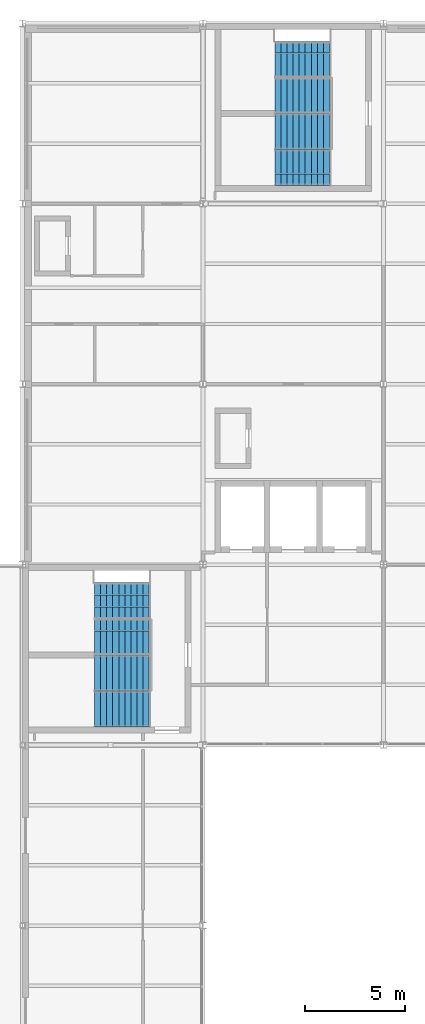
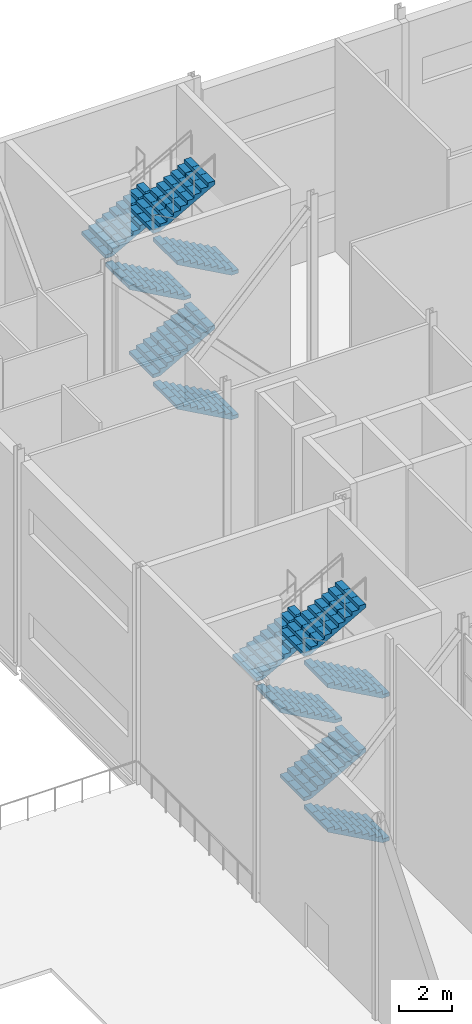
# One storey, part 98 of 111: 12 stair flights, 2 elements without a shape of their own.
"""IFC4 building model written with IfcOpenShell, lengths in metres."""

import ifcopenshell
import ifcopenshell.guid

model = None  # the IFC model being written
_history = None  # IfcOwnerHistory: only IFC2X3 demands one
_inside = {}  # id of a spatial element -> (the spatial element, [elements in it])
_under = {}  # id of a project, library or spatial element -> (it, [spatial elements below it])
_declared = {}  # id of a project -> (the project, [libraries it declares])
_typed = {}  # id of a type object -> (the type object, [elements of that type])
_made_of = {}  # id of a material, layer set ... -> (it, [elements and type objects made of it])


def new_model(schema):
    """Start an empty IFC model of exactly this schema.

    Asked for "IFC4X3", IfcOpenShell would pick the latest addendum, in which some entities
    have other attributes; the version numbers below select the first issue.
    IFC2X3 requires an IfcOwnerHistory on every rooted entity: one is made here for all.
    """
    global model, _history
    if schema == "IFC4X3":
        model = ifcopenshell.file(schema_version=(4, 3, 0, 0))
    else:
        model = ifcopenshell.file(schema=schema)
    _inside.clear()
    _under.clear()
    _declared.clear()
    _typed.clear()
    _made_of.clear()
    _history = None
    if model.schema == "IFC2X3":
        org = make("IfcOrganization", Name="unknown")
        user = make(
            "IfcPersonAndOrganization",
            ThePerson=make("IfcPerson", FamilyName="unknown"),
            TheOrganization=org,
        )
        app = make(
            "IfcApplication",
            ApplicationDeveloper=org,
            Version="unknown",
            ApplicationFullName="unknown",
            ApplicationIdentifier="unknown",
        )
        _history = make(
            "IfcOwnerHistory",
            OwningUser=user,
            OwningApplication=app,
            ChangeAction="ADDED",
            CreationDate=0,
        )
    return model


def make(cls, **values):
    """One entity of the class cls with the attributes given. An attribute that is None is left unset."""
    return model.create_entity(
        cls, **{name: value for name, value in values.items() if value is not None}
    )


def rooted(cls, **values):
    """An entity with a GlobalId (a new one), such as an element, a storey or a relation."""
    return make(cls, GlobalId=ifcopenshell.guid.new(), OwnerHistory=_history, **values)


def si_unit(unit_type, name, prefix=None):
    """IfcSIUnit, for example si_unit("LENGTHUNIT", "METRE", prefix="MILLI")."""
    return make("IfcSIUnit", UnitType=unit_type, Prefix=prefix, Name=name)


def assignment(units):
    """IfcUnitAssignment: the units of a project."""
    return None if units is None else make("IfcUnitAssignment", Units=units)


def point(xyz):
    """IfcCartesianPoint."""
    return None if xyz is None else make("IfcCartesianPoint", Coordinates=xyz)


def direction(xyz):
    """IfcDirection."""
    return None if xyz is None else make("IfcDirection", DirectionRatios=xyz)


def frame(location, z_axis=None, x_axis=None):
    """IfcAxis2Placement3D, a coordinate frame: its origin and axes. An axis left out is left unset."""
    return make(
        "IfcAxis2Placement3D",
        Location=point(location),
        Axis=direction(z_axis),
        RefDirection=direction(x_axis),
    )


def origin():
    """The frame at (0, 0, 0) with its axes left unset."""
    return frame((0.0, 0.0, 0.0))


def place(relative_to, where):
    """IfcLocalPlacement: puts the frame where relative to a parent placement (None: the world)."""
    return make(
        "IfcLocalPlacement", PlacementRelTo=relative_to, RelativePlacement=where
    )


def context(
    kind, dimensions, precision=None, world=None, true_north=None, identifier=None
):
    """IfcGeometricRepresentationContext, for example the 3D "Model" context."""
    return make(
        "IfcGeometricRepresentationContext",
        ContextIdentifier=identifier,
        ContextType=kind,
        CoordinateSpaceDimension=dimensions,
        Precision=precision,
        WorldCoordinateSystem=world,
        TrueNorth=true_north,
    )


def subcontext(parent, identifier, kind, view, scale=None):
    """IfcGeometricRepresentationSubContext, for example "Body" below "Model"."""
    return make(
        "IfcGeometricRepresentationSubContext",
        ContextIdentifier=identifier,
        ContextType=kind,
        ParentContext=parent,
        TargetScale=scale,
        TargetView=view,
    )


def project(units=None, contexts=None):
    """IfcProject with its units and contexts."""
    return rooted(
        "IfcProject",
        Name="project",
        RepresentationContexts=contexts,
        UnitsInContext=assignment(units),
    )


def spatial(cls, under=None, at=None, **own):
    """A site, building, storey or space (cls), placed at a placement, below another one or the project."""
    s = rooted(cls, ObjectPlacement=at, **own)
    if under is not None:
        _under.setdefault(under.id(), (under, []))[1].append(s)
    return s


def polyline(points):
    """IfcPolyline through the points."""
    return make("IfcPolyline", Points=[point(p) for p in points])


def outline(outer, holes=None, kind="AREA"):
    """IfcArbitraryClosedProfileDef: a profile drawn as a closed curve; with holes, ...WithVoids."""
    if holes is None:
        return make("IfcArbitraryClosedProfileDef", ProfileType=kind, OuterCurve=outer)
    return make(
        "IfcArbitraryProfileDefWithVoids",
        ProfileType=kind,
        OuterCurve=outer,
        InnerCurves=holes,
    )


def extrude(swept, where, along, depth):
    """IfcExtrudedAreaSolid: the profile swept, set in the frame where, extruded along a direction by depth."""
    return make(
        "IfcExtrudedAreaSolid",
        SweptArea=swept,
        Position=where,
        ExtrudedDirection=direction(along),
        Depth=depth,
    )


def shape(context_of_items, identifier, shape_type, items):
    """IfcShapeRepresentation: the items that make up one representation, for example the "Body"."""
    return make(
        "IfcShapeRepresentation",
        ContextOfItems=context_of_items,
        RepresentationIdentifier=identifier,
        RepresentationType=shape_type,
        Items=items,
    )


def material(Name=None, Category=None):
    """IfcMaterial."""
    return make("IfcMaterial", Name=Name, Category=Category)


def made_of(thing, what):
    """Note that an element or type object is made of a material, layer set ...; save() writes the relation."""
    if what is not None:
        _made_of.setdefault(what.id(), (what, []))[1].append(thing)
    return thing


def type_object(cls, material=None, **own):
    """A type object (cls), such as IfcWallType, which elements share."""
    return made_of(rooted(cls, **own), material)


def element(
    cls,
    number,
    at=None,
    inside=None,
    cuts=None,
    type_object=None,
    material=None,
    context=None,
    identifier="Body",
    shape_type=None,
    held_by="IfcProductDefinitionShape",
    body=None,
    shapes=None,
    **own,
):
    """One element of the class cls, such as IfcWall. Its Tag is "e" and its number.

    at: its placement. inside: the storey or other place that contains it. cuts: it is an
    opening in that element (IfcRelVoidsElement). A single representation is given by context,
    identifier, shape_type and body (its items); several are given by shapes. held_by: the class
    of the entity that holds the representations. save() writes the other relations.
    """
    e = rooted(cls, Tag="e%d" % number, ObjectPlacement=at, **own)
    if body is not None:
        shapes = [shape(context, identifier, shape_type, body)]
    if shapes is not None:
        e.Representation = make(held_by, Representations=shapes)
    if inside is not None:
        _inside.setdefault(inside.id(), (inside, []))[1].append(e)
    if cuts is not None:
        rooted(
            "IfcRelVoidsElement", RelatingBuildingElement=cuts, RelatedOpeningElement=e
        )
    if type_object is not None:
        _typed.setdefault(type_object.id(), (type_object, []))[1].append(e)
    return made_of(e, material)


def aggregate(whole, parts):
    """IfcRelAggregates: a whole, such as a stair, and the parts it consists of."""
    return rooted("IfcRelAggregates", RelatingObject=whole, RelatedObjects=parts)


def save(model, path):
    """Write the relations noted so far, then the file.

    IfcRelAggregates (storeys below a building ...), IfcRelContainedInSpatialStructure (elements
    in a storey), IfcRelDefinesByType, IfcRelAssociatesMaterial and IfcRelDeclares: one each for
    every whole, place, type object, material and project.
    """
    for whole, parts in _under.values():
        aggregate(whole, parts)
    for where, things in _inside.values():
        rooted(
            "IfcRelContainedInSpatialStructure",
            RelatedElements=things,
            RelatingStructure=where,
        )
    for kind, things in _typed.values():
        rooted("IfcRelDefinesByType", RelatedObjects=things, RelatingType=kind)
    for what, things in _made_of.values():
        rooted("IfcRelAssociatesMaterial", RelatedObjects=things, RelatingMaterial=what)
    for by, libraries in _declared.values():
        rooted("IfcRelDeclares", RelatingContext=by, RelatedDefinitions=libraries)
    model.write(path)


model = new_model("IFC4")

# Units and contexts
model_context = context("Model", 3, precision=1e-05, world=origin(), true_north=direction((0.0, 1.0)))
body_context = subcontext(model_context, "Body", "Model", "MODEL_VIEW")
ifc_project = project(units=[si_unit("LENGTHUNIT", "METRE"), si_unit("AREAUNIT", "SQUARE_METRE"), si_unit("VOLUMEUNIT", "CUBIC_METRE"), si_unit("PLANEANGLEUNIT", "RADIAN"), si_unit("MASSUNIT", "GRAM", prefix="KILO")], contexts=[model_context])

# Site, building, storey
site_placement = place(None, origin())
site = spatial("IfcSite", under=ifc_project, at=site_placement, CompositionType="ELEMENT")
building_placement = place(site_placement, origin())
building = spatial("IfcBuilding", under=site, at=building_placement, Name="Shorebreak Coast Museum", CompositionType="ELEMENT")
storey_placement = place(building_placement, frame((0.0, 0.0, 16.0)))
storey = spatial("IfcBuildingStorey", under=building, at=storey_placement, Name="L03", CompositionType="ELEMENT", Elevation=16.0)

# Stair, stair flights
ifc_material_1 = material(Name="Concrete N40 (40 MPa)", Category="concrete")
stair_type = type_object("IfcStairType", Name="Stair run 10 m", PredefinedType="DOUBLE_RETURN_STAIR", material=ifc_material_1)
stair_1_placement = place(storey_placement, origin())
stair_1 = element("IfcStair", 1, at=stair_1_placement, inside=storey, type_object=stair_type, Name="Exit stair ST03-L03", PredefinedType="DOUBLE_RETURN_STAIR")
ifc_material_2 = material(Name="Concrete N40 (40 MPa)", Category="concrete")
stair_flight_type = type_object("IfcStairFlightType", Name="Stair flight 10 risers 166.67", PredefinedType="STRAIGHT", material=ifc_material_2)
stair_flight_1_placement = place(storey_placement, frame((60.300048828125, 82.800048828125, 0.0), z_axis=(0.0, 0.0, 1.0), x_axis=(-1.0, 0.0, 0.0)))
stair_flight_1 = element("IfcStairFlight", 2, at=stair_flight_1_placement, type_object=stair_flight_type, Name="ST03-L03 flight 1", NumberOfRisers=10, NumberOfTreads=9, PredefinedType="STRAIGHT", RiserHeight=0.166666667, TreadLength=0.3, context=body_context, shape_type="SweptSolid", body=[
    extrude(outline(polyline([(0.0, 0.0), (0.0, 0.166748046875), (0.300048828125, 0.166748046875), (0.300048828125, 0.333251953125), (0.60009765625, 0.333251953125), (0.60009765625, 0.5), (0.89990234375, 0.5), (0.89990234375, 0.666748046875), (1.199951171875, 0.666748046875), (1.199951171875, 0.833251953125), (1.5, 0.833251953125), (1.5, 1.0), (1.800048828125, 1.0), (1.800048828125, 1.166748046875), (2.10009765625, 1.166748046875), (2.10009765625, 1.333251953125), (2.39990234375, 1.333251953125), (2.39990234375, 1.5), (2.699951171875, 1.5), (2.699951171875, 1.666748046875), (2.699951171875, 1.32861328125), (0.30859375, 0.0), (0.0, 0.0)])), frame((0.0, 0.89990234375, 0.0), z_axis=(0.0, -1.0, 0.0), x_axis=(1.0, 0.0, 0.0)), (0.0, 0.0, 1.0), 0.59326171875),
    extrude(outline(polyline([(0.0, 0.0), (0.0, 0.166748046875), (0.300048828125, 0.166748046875), (0.300048828125, 0.333251953125), (0.60009765625, 0.333251953125), (0.60009765625, 0.5), (0.89990234375, 0.5), (0.89990234375, 0.666748046875), (1.199951171875, 0.666748046875), (1.199951171875, 0.833251953125), (1.5, 0.833251953125), (1.5, 1.0), (1.800048828125, 1.0), (1.800048828125, 1.166748046875), (2.10009765625, 1.166748046875), (2.10009765625, 1.333251953125), (2.39990234375, 1.333251953125), (2.39990234375, 1.5), (2.699951171875, 1.5), (2.699951171875, 1.666748046875), (2.699951171875, 1.32861328125), (0.30859375, 0.0), (0.0, 0.0)])), frame((0.0, 0.296630859375, 0.0), z_axis=(0.0, -1.0, 0.0), x_axis=(1.0, 0.0, 0.0)), (0.0, 0.0, 1.0), 0.59326171875),
    extrude(outline(polyline([(0.0, 0.0), (0.0, 0.166748046875), (0.300048828125, 0.166748046875), (0.300048828125, 0.333251953125), (0.60009765625, 0.333251953125), (0.60009765625, 0.5), (0.89990234375, 0.5), (0.89990234375, 0.666748046875), (1.199951171875, 0.666748046875), (1.199951171875, 0.833251953125), (1.5, 0.833251953125), (1.5, 1.0), (1.800048828125, 1.0), (1.800048828125, 1.166748046875), (2.10009765625, 1.166748046875), (2.10009765625, 1.333251953125), (2.39990234375, 1.333251953125), (2.39990234375, 1.5), (2.699951171875, 1.5), (2.699951171875, 1.666748046875), (2.699951171875, 1.32861328125), (0.30859375, 0.0), (0.0, 0.0)])), frame((0.0, -0.306640625, 0.0), z_axis=(0.0, -1.0, 0.0), x_axis=(1.0, 0.0, 0.0)), (0.0, 0.0, 1.0), 0.59326171875),
])
stair_flight_2_placement = place(storey_placement, frame((57.60009765625, 84.60009765625, 1.666748046875), z_axis=(0.0, 0.0, 1.0), x_axis=(1.0, 0.0, 0.0)))
stair_flight_2 = element("IfcStairFlight", 3, at=stair_flight_2_placement, type_object=stair_flight_type, Name="ST03-L03 flight 2", NumberOfRisers=10, NumberOfTreads=9, PredefinedType="STRAIGHT", RiserHeight=0.166666667, TreadLength=0.3, context=body_context, shape_type="SweptSolid", body=[
    extrude(outline(polyline([(0.0, 0.0), (0.0, 0.166748046875), (0.300048828125, 0.166748046875), (0.300048828125, 0.333251953125), (0.60009765625, 0.333251953125), (0.60009765625, 0.5), (0.89990234375, 0.5), (0.89990234375, 0.666748046875), (1.199951171875, 0.666748046875), (1.199951171875, 0.833251953125), (1.5, 0.833251953125), (1.5, 1.0), (1.800048828125, 1.0), (1.800048828125, 1.166748046875), (2.10009765625, 1.166748046875), (2.10009765625, 1.333251953125), (2.39990234375, 1.333251953125), (2.39990234375, 1.5), (2.699951171875, 1.5), (2.699951171875, 1.666748046875), (2.699951171875, 1.32861328125), (0.30859375, 0.0), (0.0, 0.0)])), frame((0.0, 0.89990234375, 0.0), z_axis=(0.0, -1.0, 0.0), x_axis=(1.0, 0.0, 0.0)), (0.0, 0.0, 1.0), 0.59326171875),
    extrude(outline(polyline([(0.0, 0.0), (0.0, 0.166748046875), (0.300048828125, 0.166748046875), (0.300048828125, 0.333251953125), (0.60009765625, 0.333251953125), (0.60009765625, 0.5), (0.89990234375, 0.5), (0.89990234375, 0.666748046875), (1.199951171875, 0.666748046875), (1.199951171875, 0.833251953125), (1.5, 0.833251953125), (1.5, 1.0), (1.800048828125, 1.0), (1.800048828125, 1.166748046875), (2.10009765625, 1.166748046875), (2.10009765625, 1.333251953125), (2.39990234375, 1.333251953125), (2.39990234375, 1.5), (2.699951171875, 1.5), (2.699951171875, 1.666748046875), (2.699951171875, 1.32861328125), (0.30859375, 0.0), (0.0, 0.0)])), frame((0.0, 0.296630859375, 0.0), z_axis=(0.0, -1.0, 0.0), x_axis=(1.0, 0.0, 0.0)), (0.0, 0.0, 1.0), 0.59326171875),
    extrude(outline(polyline([(0.0, 0.0), (0.0, 0.166748046875), (0.300048828125, 0.166748046875), (0.300048828125, 0.333251953125), (0.60009765625, 0.333251953125), (0.60009765625, 0.5), (0.89990234375, 0.5), (0.89990234375, 0.666748046875), (1.199951171875, 0.666748046875), (1.199951171875, 0.833251953125), (1.5, 0.833251953125), (1.5, 1.0), (1.800048828125, 1.0), (1.800048828125, 1.166748046875), (2.10009765625, 1.166748046875), (2.10009765625, 1.333251953125), (2.39990234375, 1.333251953125), (2.39990234375, 1.5), (2.699951171875, 1.5), (2.699951171875, 1.666748046875), (2.699951171875, 1.32861328125), (0.30859375, 0.0), (0.0, 0.0)])), frame((0.0, -0.306640625, 0.0), z_axis=(0.0, -1.0, 0.0), x_axis=(1.0, 0.0, 0.0)), (0.0, 0.0, 1.0), 0.59326171875),
])
stair_flight_3_placement = place(storey_placement, frame((60.300048828125, 86.39990234375, 3.333251953125), z_axis=(0.0, 0.0, 1.0), x_axis=(-1.0, 0.0, 0.0)))
stair_flight_3 = element("IfcStairFlight", 4, at=stair_flight_3_placement, type_object=stair_flight_type, Name="ST03-L03 flight 3", NumberOfRisers=10, NumberOfTreads=9, PredefinedType="STRAIGHT", RiserHeight=0.166666667, TreadLength=0.3, context=body_context, shape_type="SweptSolid", body=[
    extrude(outline(polyline([(0.0, 0.0), (0.0, 0.166748046875), (0.300048828125, 0.166748046875), (0.300048828125, 0.333251953125), (0.60009765625, 0.333251953125), (0.60009765625, 0.5), (0.89990234375, 0.5), (0.89990234375, 0.666748046875), (1.199951171875, 0.666748046875), (1.199951171875, 0.833251953125), (1.5, 0.833251953125), (1.5, 1.0), (1.800048828125, 1.0), (1.800048828125, 1.166748046875), (2.10009765625, 1.166748046875), (2.10009765625, 1.333251953125), (2.39990234375, 1.333251953125), (2.39990234375, 1.5), (2.699951171875, 1.5), (2.699951171875, 1.666748046875), (2.699951171875, 1.32861328125), (0.30859375, 0.0), (0.0, 0.0)])), frame((0.0, 0.89990234375, 0.0), z_axis=(0.0, -1.0, 0.0), x_axis=(1.0, 0.0, 0.0)), (0.0, 0.0, 1.0), 0.59326171875),
    extrude(outline(polyline([(0.0, 0.0), (0.0, 0.166748046875), (0.300048828125, 0.166748046875), (0.300048828125, 0.333251953125), (0.60009765625, 0.333251953125), (0.60009765625, 0.5), (0.89990234375, 0.5), (0.89990234375, 0.666748046875), (1.199951171875, 0.666748046875), (1.199951171875, 0.833251953125), (1.5, 0.833251953125), (1.5, 1.0), (1.800048828125, 1.0), (1.800048828125, 1.166748046875), (2.10009765625, 1.166748046875), (2.10009765625, 1.333251953125), (2.39990234375, 1.333251953125), (2.39990234375, 1.5), (2.699951171875, 1.5), (2.699951171875, 1.666748046875), (2.699951171875, 1.32861328125), (0.30859375, 0.0), (0.0, 0.0)])), frame((0.0, 0.296630859375, 0.0), z_axis=(0.0, -1.0, 0.0), x_axis=(1.0, 0.0, 0.0)), (0.0, 0.0, 1.0), 0.59326171875),
    extrude(outline(polyline([(0.0, 0.0), (0.0, 0.166748046875), (0.300048828125, 0.166748046875), (0.300048828125, 0.333251953125), (0.60009765625, 0.333251953125), (0.60009765625, 0.5), (0.89990234375, 0.5), (0.89990234375, 0.666748046875), (1.199951171875, 0.666748046875), (1.199951171875, 0.833251953125), (1.5, 0.833251953125), (1.5, 1.0), (1.800048828125, 1.0), (1.800048828125, 1.166748046875), (2.10009765625, 1.166748046875), (2.10009765625, 1.333251953125), (2.39990234375, 1.333251953125), (2.39990234375, 1.5), (2.699951171875, 1.5), (2.699951171875, 1.666748046875), (2.699951171875, 1.32861328125), (0.30859375, 0.0), (0.0, 0.0)])), frame((0.0, -0.306640625, 0.0), z_axis=(0.0, -1.0, 0.0), x_axis=(1.0, 0.0, 0.0)), (0.0, 0.0, 1.0), 0.59326171875),
])
stair_flight_4_placement = place(storey_placement, frame((57.60009765625, 88.199951171875, 5.0), z_axis=(0.0, 0.0, 1.0), x_axis=(1.0, 0.0, 0.0)))
stair_flight_4 = element("IfcStairFlight", 5, at=stair_flight_4_placement, type_object=stair_flight_type, Name="ST03-L03 flight 4", NumberOfRisers=10, NumberOfTreads=9, PredefinedType="STRAIGHT", RiserHeight=0.166666667, TreadLength=0.3, context=body_context, shape_type="SweptSolid", body=[
    extrude(outline(polyline([(0.0, 0.0), (0.0, 0.166748046875), (0.300048828125, 0.166748046875), (0.300048828125, 0.333251953125), (0.60009765625, 0.333251953125), (0.60009765625, 0.5), (0.89990234375, 0.5), (0.89990234375, 0.666748046875), (1.199951171875, 0.666748046875), (1.199951171875, 0.833251953125), (1.5, 0.833251953125), (1.5, 1.0), (1.800048828125, 1.0), (1.800048828125, 1.166748046875), (2.10009765625, 1.166748046875), (2.10009765625, 1.333251953125), (2.39990234375, 1.333251953125), (2.39990234375, 1.5), (2.699951171875, 1.5), (2.699951171875, 1.666748046875), (2.699951171875, 1.32861328125), (0.30859375, 0.0), (0.0, 0.0)])), frame((0.0, 0.89990234375, 0.0), z_axis=(0.0, -1.0, 0.0), x_axis=(1.0, 0.0, 0.0)), (0.0, 0.0, 1.0), 0.59326171875),
    extrude(outline(polyline([(0.0, 0.0), (0.0, 0.166748046875), (0.300048828125, 0.166748046875), (0.300048828125, 0.333251953125), (0.60009765625, 0.333251953125), (0.60009765625, 0.5), (0.89990234375, 0.5), (0.89990234375, 0.666748046875), (1.199951171875, 0.666748046875), (1.199951171875, 0.833251953125), (1.5, 0.833251953125), (1.5, 1.0), (1.800048828125, 1.0), (1.800048828125, 1.166748046875), (2.10009765625, 1.166748046875), (2.10009765625, 1.333251953125), (2.39990234375, 1.333251953125), (2.39990234375, 1.5), (2.699951171875, 1.5), (2.699951171875, 1.666748046875), (2.699951171875, 1.32861328125), (0.30859375, 0.0), (0.0, 0.0)])), frame((0.0, 0.296630859375, 0.0), z_axis=(0.0, -1.0, 0.0), x_axis=(1.0, 0.0, 0.0)), (0.0, 0.0, 1.0), 0.59326171875),
    extrude(outline(polyline([(0.0, 0.0), (0.0, 0.166748046875), (0.300048828125, 0.166748046875), (0.300048828125, 0.333251953125), (0.60009765625, 0.333251953125), (0.60009765625, 0.5), (0.89990234375, 0.5), (0.89990234375, 0.666748046875), (1.199951171875, 0.666748046875), (1.199951171875, 0.833251953125), (1.5, 0.833251953125), (1.5, 1.0), (1.800048828125, 1.0), (1.800048828125, 1.166748046875), (2.10009765625, 1.166748046875), (2.10009765625, 1.333251953125), (2.39990234375, 1.333251953125), (2.39990234375, 1.5), (2.699951171875, 1.5), (2.699951171875, 1.666748046875), (2.699951171875, 1.32861328125), (0.30859375, 0.0), (0.0, 0.0)])), frame((0.0, -0.306640625, 0.0), z_axis=(0.0, -1.0, 0.0), x_axis=(1.0, 0.0, 0.0)), (0.0, 0.0, 1.0), 0.59326171875),
])
stair_flight_5_placement = place(storey_placement, frame((60.300048828125, 82.800048828125, 6.666748046875), z_axis=(0.0, 0.0, 1.0), x_axis=(-1.0, 0.0, 0.0)))
stair_flight_5 = element("IfcStairFlight", 6, at=stair_flight_5_placement, type_object=stair_flight_type, Name="ST03-L03 flight 5", NumberOfRisers=10, NumberOfTreads=9, PredefinedType="STRAIGHT", RiserHeight=0.166666667, TreadLength=0.3, context=body_context, shape_type="SweptSolid", body=[
    extrude(outline(polyline([(0.0, 0.0), (0.0, 0.166748046875), (0.300048828125, 0.166748046875), (0.300048828125, 0.333251953125), (0.60009765625, 0.333251953125), (0.60009765625, 0.5), (0.89990234375, 0.5), (0.89990234375, 0.666748046875), (1.199951171875, 0.666748046875), (1.199951171875, 0.833251953125), (1.5, 0.833251953125), (1.5, 1.0), (1.800048828125, 1.0), (1.800048828125, 1.166748046875), (2.10009765625, 1.166748046875), (2.10009765625, 1.333251953125), (2.39990234375, 1.333251953125), (2.39990234375, 1.5), (2.699951171875, 1.5), (2.699951171875, 1.666748046875), (2.699951171875, 1.32861328125), (0.30859375, 0.0), (0.0, 0.0)])), frame((0.0, 0.89990234375, 0.0), z_axis=(0.0, -1.0, 0.0), x_axis=(1.0, 0.0, 0.0)), (0.0, 0.0, 1.0), 0.59326171875),
    extrude(outline(polyline([(0.0, 0.0), (0.0, 0.166748046875), (0.300048828125, 0.166748046875), (0.300048828125, 0.333251953125), (0.60009765625, 0.333251953125), (0.60009765625, 0.5), (0.89990234375, 0.5), (0.89990234375, 0.666748046875), (1.199951171875, 0.666748046875), (1.199951171875, 0.833251953125), (1.5, 0.833251953125), (1.5, 1.0), (1.800048828125, 1.0), (1.800048828125, 1.166748046875), (2.10009765625, 1.166748046875), (2.10009765625, 1.333251953125), (2.39990234375, 1.333251953125), (2.39990234375, 1.5), (2.699951171875, 1.5), (2.699951171875, 1.666748046875), (2.699951171875, 1.32861328125), (0.30859375, 0.0), (0.0, 0.0)])), frame((0.0, 0.296630859375, 0.0), z_axis=(0.0, -1.0, 0.0), x_axis=(1.0, 0.0, 0.0)), (0.0, 0.0, 1.0), 0.59326171875),
    extrude(outline(polyline([(0.0, 0.0), (0.0, 0.166748046875), (0.300048828125, 0.166748046875), (0.300048828125, 0.333251953125), (0.60009765625, 0.333251953125), (0.60009765625, 0.5), (0.89990234375, 0.5), (0.89990234375, 0.666748046875), (1.199951171875, 0.666748046875), (1.199951171875, 0.833251953125), (1.5, 0.833251953125), (1.5, 1.0), (1.800048828125, 1.0), (1.800048828125, 1.166748046875), (2.10009765625, 1.166748046875), (2.10009765625, 1.333251953125), (2.39990234375, 1.333251953125), (2.39990234375, 1.5), (2.699951171875, 1.5), (2.699951171875, 1.666748046875), (2.699951171875, 1.32861328125), (0.30859375, 0.0), (0.0, 0.0)])), frame((0.0, -0.306640625, 0.0), z_axis=(0.0, -1.0, 0.0), x_axis=(1.0, 0.0, 0.0)), (0.0, 0.0, 1.0), 0.59326171875),
])
stair_flight_6_placement = place(storey_placement, frame((57.60009765625, 84.60009765625, 8.333251953125), z_axis=(0.0, 0.0, 1.0), x_axis=(1.0, 0.0, 0.0)))
stair_flight_6 = element("IfcStairFlight", 7, at=stair_flight_6_placement, type_object=stair_flight_type, Name="ST03-L03 flight 6", NumberOfRisers=10, NumberOfTreads=9, PredefinedType="STRAIGHT", RiserHeight=0.166666667, TreadLength=0.3, context=body_context, shape_type="SweptSolid", body=[
    extrude(outline(polyline([(0.0, 0.0), (0.0, 0.166748046875), (0.300048828125, 0.166748046875), (0.300048828125, 0.333251953125), (0.60009765625, 0.333251953125), (0.60009765625, 0.5), (0.89990234375, 0.5), (0.89990234375, 0.666748046875), (1.199951171875, 0.666748046875), (1.199951171875, 0.833251953125), (1.5, 0.833251953125), (1.5, 1.0), (1.800048828125, 1.0), (1.800048828125, 1.166748046875), (2.10009765625, 1.166748046875), (2.10009765625, 1.333251953125), (2.39990234375, 1.333251953125), (2.39990234375, 1.5), (2.699951171875, 1.5), (2.699951171875, 1.666748046875), (2.699951171875, 1.32861328125), (0.30859375, 0.0), (0.0, 0.0)])), frame((0.0, 0.89990234375, 0.0), z_axis=(0.0, -1.0, 0.0), x_axis=(1.0, 0.0, 0.0)), (0.0, 0.0, 1.0), 0.59326171875),
    extrude(outline(polyline([(0.0, 0.0), (0.0, 0.166748046875), (0.300048828125, 0.166748046875), (0.300048828125, 0.333251953125), (0.60009765625, 0.333251953125), (0.60009765625, 0.5), (0.89990234375, 0.5), (0.89990234375, 0.666748046875), (1.199951171875, 0.666748046875), (1.199951171875, 0.833251953125), (1.5, 0.833251953125), (1.5, 1.0), (1.800048828125, 1.0), (1.800048828125, 1.166748046875), (2.10009765625, 1.166748046875), (2.10009765625, 1.333251953125), (2.39990234375, 1.333251953125), (2.39990234375, 1.5), (2.699951171875, 1.5), (2.699951171875, 1.666748046875), (2.699951171875, 1.32861328125), (0.30859375, 0.0), (0.0, 0.0)])), frame((0.0, 0.296630859375, 0.0), z_axis=(0.0, -1.0, 0.0), x_axis=(1.0, 0.0, 0.0)), (0.0, 0.0, 1.0), 0.59326171875),
    extrude(outline(polyline([(0.0, 0.0), (0.0, 0.166748046875), (0.300048828125, 0.166748046875), (0.300048828125, 0.333251953125), (0.60009765625, 0.333251953125), (0.60009765625, 0.5), (0.89990234375, 0.5), (0.89990234375, 0.666748046875), (1.199951171875, 0.666748046875), (1.199951171875, 0.833251953125), (1.5, 0.833251953125), (1.5, 1.0), (1.800048828125, 1.0), (1.800048828125, 1.166748046875), (2.10009765625, 1.166748046875), (2.10009765625, 1.333251953125), (2.39990234375, 1.333251953125), (2.39990234375, 1.5), (2.699951171875, 1.5), (2.699951171875, 1.666748046875), (2.699951171875, 1.32861328125), (0.30859375, 0.0), (0.0, 0.0)])), frame((0.0, -0.306640625, 0.0), z_axis=(0.0, -1.0, 0.0), x_axis=(1.0, 0.0, 0.0)), (0.0, 0.0, 1.0), 0.59326171875),
])
aggregate(stair_1, [stair_flight_1, stair_flight_2, stair_flight_3, stair_flight_4, stair_flight_5, stair_flight_6])

stair_2_placement = place(storey_placement, origin())
stair_2 = element("IfcStair", 8, at=stair_2_placement, inside=storey, type_object=stair_type, Name="Exit stair ST09-L03", PredefinedType="DOUBLE_RETURN_STAIR")
stair_flight_7_placement = place(storey_placement, frame((69.300048828125, 109.800048828125, 0.0), z_axis=(0.0, 0.0, 1.0), x_axis=(-1.0, 0.0, 0.0)))
stair_flight_7 = element("IfcStairFlight", 9, at=stair_flight_7_placement, type_object=stair_flight_type, Name="ST09-L03 flight 1", NumberOfRisers=10, NumberOfTreads=9, PredefinedType="STRAIGHT", RiserHeight=0.166666667, TreadLength=0.3, context=body_context, shape_type="SweptSolid", body=[
    extrude(outline(polyline([(0.0, 0.0), (0.0, 0.166748046875), (0.300048828125, 0.166748046875), (0.300048828125, 0.333251953125), (0.60009765625, 0.333251953125), (0.60009765625, 0.5), (0.89990234375, 0.5), (0.89990234375, 0.666748046875), (1.199951171875, 0.666748046875), (1.199951171875, 0.833251953125), (1.5, 0.833251953125), (1.5, 1.0), (1.800048828125, 1.0), (1.800048828125, 1.166748046875), (2.10009765625, 1.166748046875), (2.10009765625, 1.333251953125), (2.39990234375, 1.333251953125), (2.39990234375, 1.5), (2.699951171875, 1.5), (2.699951171875, 1.666748046875), (2.699951171875, 1.32861328125), (0.30859375, 0.0), (0.0, 0.0)])), frame((0.0, 0.89990234375, 0.0), z_axis=(0.0, -1.0, 0.0), x_axis=(1.0, 0.0, 0.0)), (0.0, 0.0, 1.0), 0.59326171875),
    extrude(outline(polyline([(0.0, 0.0), (0.0, 0.166748046875), (0.300048828125, 0.166748046875), (0.300048828125, 0.333251953125), (0.60009765625, 0.333251953125), (0.60009765625, 0.5), (0.89990234375, 0.5), (0.89990234375, 0.666748046875), (1.199951171875, 0.666748046875), (1.199951171875, 0.833251953125), (1.5, 0.833251953125), (1.5, 1.0), (1.800048828125, 1.0), (1.800048828125, 1.166748046875), (2.10009765625, 1.166748046875), (2.10009765625, 1.333251953125), (2.39990234375, 1.333251953125), (2.39990234375, 1.5), (2.699951171875, 1.5), (2.699951171875, 1.666748046875), (2.699951171875, 1.32861328125), (0.30859375, 0.0), (0.0, 0.0)])), frame((0.0, 0.296630859375, 0.0), z_axis=(0.0, -1.0, 0.0), x_axis=(1.0, 0.0, 0.0)), (0.0, 0.0, 1.0), 0.59326171875),
    extrude(outline(polyline([(0.0, 0.0), (0.0, 0.166748046875), (0.300048828125, 0.166748046875), (0.300048828125, 0.333251953125), (0.60009765625, 0.333251953125), (0.60009765625, 0.5), (0.89990234375, 0.5), (0.89990234375, 0.666748046875), (1.199951171875, 0.666748046875), (1.199951171875, 0.833251953125), (1.5, 0.833251953125), (1.5, 1.0), (1.800048828125, 1.0), (1.800048828125, 1.166748046875), (2.10009765625, 1.166748046875), (2.10009765625, 1.333251953125), (2.39990234375, 1.333251953125), (2.39990234375, 1.5), (2.699951171875, 1.5), (2.699951171875, 1.666748046875), (2.699951171875, 1.32861328125), (0.30859375, 0.0), (0.0, 0.0)])), frame((0.0, -0.306640625, 0.0), z_axis=(0.0, -1.0, 0.0), x_axis=(1.0, 0.0, 0.0)), (0.0, 0.0, 1.0), 0.59326171875),
])
stair_flight_8_placement = place(storey_placement, frame((66.60009765625, 111.60009765625, 1.666748046875), z_axis=(0.0, 0.0, 1.0), x_axis=(1.0, 0.0, 0.0)))
stair_flight_8 = element("IfcStairFlight", 10, at=stair_flight_8_placement, type_object=stair_flight_type, Name="ST09-L03 flight 2", NumberOfRisers=10, NumberOfTreads=9, PredefinedType="STRAIGHT", RiserHeight=0.166666667, TreadLength=0.3, context=body_context, shape_type="SweptSolid", body=[
    extrude(outline(polyline([(0.0, 0.0), (0.0, 0.166748046875), (0.300048828125, 0.166748046875), (0.300048828125, 0.333251953125), (0.60009765625, 0.333251953125), (0.60009765625, 0.5), (0.89990234375, 0.5), (0.89990234375, 0.666748046875), (1.199951171875, 0.666748046875), (1.199951171875, 0.833251953125), (1.5, 0.833251953125), (1.5, 1.0), (1.800048828125, 1.0), (1.800048828125, 1.166748046875), (2.10009765625, 1.166748046875), (2.10009765625, 1.333251953125), (2.39990234375, 1.333251953125), (2.39990234375, 1.5), (2.699951171875, 1.5), (2.699951171875, 1.666748046875), (2.699951171875, 1.32861328125), (0.30859375, 0.0), (0.0, 0.0)])), frame((0.0, 0.89990234375, 0.0), z_axis=(0.0, -1.0, 0.0), x_axis=(1.0, 0.0, 0.0)), (0.0, 0.0, 1.0), 0.59326171875),
    extrude(outline(polyline([(0.0, 0.0), (0.0, 0.166748046875), (0.300048828125, 0.166748046875), (0.300048828125, 0.333251953125), (0.60009765625, 0.333251953125), (0.60009765625, 0.5), (0.89990234375, 0.5), (0.89990234375, 0.666748046875), (1.199951171875, 0.666748046875), (1.199951171875, 0.833251953125), (1.5, 0.833251953125), (1.5, 1.0), (1.800048828125, 1.0), (1.800048828125, 1.166748046875), (2.10009765625, 1.166748046875), (2.10009765625, 1.333251953125), (2.39990234375, 1.333251953125), (2.39990234375, 1.5), (2.699951171875, 1.5), (2.699951171875, 1.666748046875), (2.699951171875, 1.32861328125), (0.30859375, 0.0), (0.0, 0.0)])), frame((0.0, 0.296630859375, 0.0), z_axis=(0.0, -1.0, 0.0), x_axis=(1.0, 0.0, 0.0)), (0.0, 0.0, 1.0), 0.59326171875),
    extrude(outline(polyline([(0.0, 0.0), (0.0, 0.166748046875), (0.300048828125, 0.166748046875), (0.300048828125, 0.333251953125), (0.60009765625, 0.333251953125), (0.60009765625, 0.5), (0.89990234375, 0.5), (0.89990234375, 0.666748046875), (1.199951171875, 0.666748046875), (1.199951171875, 0.833251953125), (1.5, 0.833251953125), (1.5, 1.0), (1.800048828125, 1.0), (1.800048828125, 1.166748046875), (2.10009765625, 1.166748046875), (2.10009765625, 1.333251953125), (2.39990234375, 1.333251953125), (2.39990234375, 1.5), (2.699951171875, 1.5), (2.699951171875, 1.666748046875), (2.699951171875, 1.32861328125), (0.30859375, 0.0), (0.0, 0.0)])), frame((0.0, -0.306640625, 0.0), z_axis=(0.0, -1.0, 0.0), x_axis=(1.0, 0.0, 0.0)), (0.0, 0.0, 1.0), 0.59326171875),
])
stair_flight_9_placement = place(storey_placement, frame((69.300048828125, 113.39990234375, 3.333251953125), z_axis=(0.0, 0.0, 1.0), x_axis=(-1.0, 0.0, 0.0)))
stair_flight_9 = element("IfcStairFlight", 11, at=stair_flight_9_placement, type_object=stair_flight_type, Name="ST09-L03 flight 3", NumberOfRisers=10, NumberOfTreads=9, PredefinedType="STRAIGHT", RiserHeight=0.166666667, TreadLength=0.3, context=body_context, shape_type="SweptSolid", body=[
    extrude(outline(polyline([(0.0, 0.0), (0.0, 0.166748046875), (0.300048828125, 0.166748046875), (0.300048828125, 0.333251953125), (0.60009765625, 0.333251953125), (0.60009765625, 0.5), (0.89990234375, 0.5), (0.89990234375, 0.666748046875), (1.199951171875, 0.666748046875), (1.199951171875, 0.833251953125), (1.5, 0.833251953125), (1.5, 1.0), (1.800048828125, 1.0), (1.800048828125, 1.166748046875), (2.10009765625, 1.166748046875), (2.10009765625, 1.333251953125), (2.39990234375, 1.333251953125), (2.39990234375, 1.5), (2.699951171875, 1.5), (2.699951171875, 1.666748046875), (2.699951171875, 1.32861328125), (0.30859375, 0.0), (0.0, 0.0)])), frame((0.0, 0.89990234375, 0.0), z_axis=(0.0, -1.0, 0.0), x_axis=(1.0, 0.0, 0.0)), (0.0, 0.0, 1.0), 0.59326171875),
    extrude(outline(polyline([(0.0, 0.0), (0.0, 0.166748046875), (0.300048828125, 0.166748046875), (0.300048828125, 0.333251953125), (0.60009765625, 0.333251953125), (0.60009765625, 0.5), (0.89990234375, 0.5), (0.89990234375, 0.666748046875), (1.199951171875, 0.666748046875), (1.199951171875, 0.833251953125), (1.5, 0.833251953125), (1.5, 1.0), (1.800048828125, 1.0), (1.800048828125, 1.166748046875), (2.10009765625, 1.166748046875), (2.10009765625, 1.333251953125), (2.39990234375, 1.333251953125), (2.39990234375, 1.5), (2.699951171875, 1.5), (2.699951171875, 1.666748046875), (2.699951171875, 1.32861328125), (0.30859375, 0.0), (0.0, 0.0)])), frame((0.0, 0.296630859375, 0.0), z_axis=(0.0, -1.0, 0.0), x_axis=(1.0, 0.0, 0.0)), (0.0, 0.0, 1.0), 0.59326171875),
    extrude(outline(polyline([(0.0, 0.0), (0.0, 0.166748046875), (0.300048828125, 0.166748046875), (0.300048828125, 0.333251953125), (0.60009765625, 0.333251953125), (0.60009765625, 0.5), (0.89990234375, 0.5), (0.89990234375, 0.666748046875), (1.199951171875, 0.666748046875), (1.199951171875, 0.833251953125), (1.5, 0.833251953125), (1.5, 1.0), (1.800048828125, 1.0), (1.800048828125, 1.166748046875), (2.10009765625, 1.166748046875), (2.10009765625, 1.333251953125), (2.39990234375, 1.333251953125), (2.39990234375, 1.5), (2.699951171875, 1.5), (2.699951171875, 1.666748046875), (2.699951171875, 1.32861328125), (0.30859375, 0.0), (0.0, 0.0)])), frame((0.0, -0.306640625, 0.0), z_axis=(0.0, -1.0, 0.0), x_axis=(1.0, 0.0, 0.0)), (0.0, 0.0, 1.0), 0.59326171875),
])
stair_flight_10_placement = place(storey_placement, frame((66.60009765625, 115.199951171875, 5.0), z_axis=(0.0, 0.0, 1.0), x_axis=(1.0, 0.0, 0.0)))
stair_flight_10 = element("IfcStairFlight", 12, at=stair_flight_10_placement, type_object=stair_flight_type, Name="ST09-L03 flight 4", NumberOfRisers=10, NumberOfTreads=9, PredefinedType="STRAIGHT", RiserHeight=0.166666667, TreadLength=0.3, context=body_context, shape_type="SweptSolid", body=[
    extrude(outline(polyline([(0.0, 0.0), (0.0, 0.166748046875), (0.300048828125, 0.166748046875), (0.300048828125, 0.333251953125), (0.60009765625, 0.333251953125), (0.60009765625, 0.5), (0.89990234375, 0.5), (0.89990234375, 0.666748046875), (1.199951171875, 0.666748046875), (1.199951171875, 0.833251953125), (1.5, 0.833251953125), (1.5, 1.0), (1.800048828125, 1.0), (1.800048828125, 1.166748046875), (2.10009765625, 1.166748046875), (2.10009765625, 1.333251953125), (2.39990234375, 1.333251953125), (2.39990234375, 1.5), (2.699951171875, 1.5), (2.699951171875, 1.666748046875), (2.699951171875, 1.32861328125), (0.30859375, 0.0), (0.0, 0.0)])), frame((0.0, 0.89990234375, 0.0), z_axis=(0.0, -1.0, 0.0), x_axis=(1.0, 0.0, 0.0)), (0.0, 0.0, 1.0), 0.59326171875),
    extrude(outline(polyline([(0.0, 0.0), (0.0, 0.166748046875), (0.300048828125, 0.166748046875), (0.300048828125, 0.333251953125), (0.60009765625, 0.333251953125), (0.60009765625, 0.5), (0.89990234375, 0.5), (0.89990234375, 0.666748046875), (1.199951171875, 0.666748046875), (1.199951171875, 0.833251953125), (1.5, 0.833251953125), (1.5, 1.0), (1.800048828125, 1.0), (1.800048828125, 1.166748046875), (2.10009765625, 1.166748046875), (2.10009765625, 1.333251953125), (2.39990234375, 1.333251953125), (2.39990234375, 1.5), (2.699951171875, 1.5), (2.699951171875, 1.666748046875), (2.699951171875, 1.32861328125), (0.30859375, 0.0), (0.0, 0.0)])), frame((0.0, 0.296630859375, 0.0), z_axis=(0.0, -1.0, 0.0), x_axis=(1.0, 0.0, 0.0)), (0.0, 0.0, 1.0), 0.59326171875),
    extrude(outline(polyline([(0.0, 0.0), (0.0, 0.166748046875), (0.300048828125, 0.166748046875), (0.300048828125, 0.333251953125), (0.60009765625, 0.333251953125), (0.60009765625, 0.5), (0.89990234375, 0.5), (0.89990234375, 0.666748046875), (1.199951171875, 0.666748046875), (1.199951171875, 0.833251953125), (1.5, 0.833251953125), (1.5, 1.0), (1.800048828125, 1.0), (1.800048828125, 1.166748046875), (2.10009765625, 1.166748046875), (2.10009765625, 1.333251953125), (2.39990234375, 1.333251953125), (2.39990234375, 1.5), (2.699951171875, 1.5), (2.699951171875, 1.666748046875), (2.699951171875, 1.32861328125), (0.30859375, 0.0), (0.0, 0.0)])), frame((0.0, -0.306640625, 0.0), z_axis=(0.0, -1.0, 0.0), x_axis=(1.0, 0.0, 0.0)), (0.0, 0.0, 1.0), 0.59326171875),
])
stair_flight_11_placement = place(storey_placement, frame((69.300048828125, 109.800048828125, 6.666748046875), z_axis=(0.0, 0.0, 1.0), x_axis=(-1.0, 0.0, 0.0)))
stair_flight_11 = element("IfcStairFlight", 13, at=stair_flight_11_placement, type_object=stair_flight_type, Name="ST09-L03 flight 5", NumberOfRisers=10, NumberOfTreads=9, PredefinedType="STRAIGHT", RiserHeight=0.166666667, TreadLength=0.3, context=body_context, shape_type="SweptSolid", body=[
    extrude(outline(polyline([(0.0, 0.0), (0.0, 0.166748046875), (0.300048828125, 0.166748046875), (0.300048828125, 0.333251953125), (0.60009765625, 0.333251953125), (0.60009765625, 0.5), (0.89990234375, 0.5), (0.89990234375, 0.666748046875), (1.199951171875, 0.666748046875), (1.199951171875, 0.833251953125), (1.5, 0.833251953125), (1.5, 1.0), (1.800048828125, 1.0), (1.800048828125, 1.166748046875), (2.10009765625, 1.166748046875), (2.10009765625, 1.333251953125), (2.39990234375, 1.333251953125), (2.39990234375, 1.5), (2.699951171875, 1.5), (2.699951171875, 1.666748046875), (2.699951171875, 1.32861328125), (0.30859375, 0.0), (0.0, 0.0)])), frame((0.0, 0.89990234375, 0.0), z_axis=(0.0, -1.0, 0.0), x_axis=(1.0, 0.0, 0.0)), (0.0, 0.0, 1.0), 0.59326171875),
    extrude(outline(polyline([(0.0, 0.0), (0.0, 0.166748046875), (0.300048828125, 0.166748046875), (0.300048828125, 0.333251953125), (0.60009765625, 0.333251953125), (0.60009765625, 0.5), (0.89990234375, 0.5), (0.89990234375, 0.666748046875), (1.199951171875, 0.666748046875), (1.199951171875, 0.833251953125), (1.5, 0.833251953125), (1.5, 1.0), (1.800048828125, 1.0), (1.800048828125, 1.166748046875), (2.10009765625, 1.166748046875), (2.10009765625, 1.333251953125), (2.39990234375, 1.333251953125), (2.39990234375, 1.5), (2.699951171875, 1.5), (2.699951171875, 1.666748046875), (2.699951171875, 1.32861328125), (0.30859375, 0.0), (0.0, 0.0)])), frame((0.0, 0.296630859375, 0.0), z_axis=(0.0, -1.0, 0.0), x_axis=(1.0, 0.0, 0.0)), (0.0, 0.0, 1.0), 0.59326171875),
    extrude(outline(polyline([(0.0, 0.0), (0.0, 0.166748046875), (0.300048828125, 0.166748046875), (0.300048828125, 0.333251953125), (0.60009765625, 0.333251953125), (0.60009765625, 0.5), (0.89990234375, 0.5), (0.89990234375, 0.666748046875), (1.199951171875, 0.666748046875), (1.199951171875, 0.833251953125), (1.5, 0.833251953125), (1.5, 1.0), (1.800048828125, 1.0), (1.800048828125, 1.166748046875), (2.10009765625, 1.166748046875), (2.10009765625, 1.333251953125), (2.39990234375, 1.333251953125), (2.39990234375, 1.5), (2.699951171875, 1.5), (2.699951171875, 1.666748046875), (2.699951171875, 1.32861328125), (0.30859375, 0.0), (0.0, 0.0)])), frame((0.0, -0.306640625, 0.0), z_axis=(0.0, -1.0, 0.0), x_axis=(1.0, 0.0, 0.0)), (0.0, 0.0, 1.0), 0.59326171875),
])
stair_flight_12_placement = place(storey_placement, frame((66.60009765625, 111.60009765625, 8.333251953125), z_axis=(0.0, 0.0, 1.0), x_axis=(1.0, 0.0, 0.0)))
stair_flight_12 = element("IfcStairFlight", 14, at=stair_flight_12_placement, type_object=stair_flight_type, Name="ST09-L03 flight 6", NumberOfRisers=10, NumberOfTreads=9, PredefinedType="STRAIGHT", RiserHeight=0.166666667, TreadLength=0.3, context=body_context, shape_type="SweptSolid", body=[
    extrude(outline(polyline([(0.0, 0.0), (0.0, 0.166748046875), (0.300048828125, 0.166748046875), (0.300048828125, 0.333251953125), (0.60009765625, 0.333251953125), (0.60009765625, 0.5), (0.89990234375, 0.5), (0.89990234375, 0.666748046875), (1.199951171875, 0.666748046875), (1.199951171875, 0.833251953125), (1.5, 0.833251953125), (1.5, 1.0), (1.800048828125, 1.0), (1.800048828125, 1.166748046875), (2.10009765625, 1.166748046875), (2.10009765625, 1.333251953125), (2.39990234375, 1.333251953125), (2.39990234375, 1.5), (2.699951171875, 1.5), (2.699951171875, 1.666748046875), (2.699951171875, 1.32861328125), (0.30859375, 0.0), (0.0, 0.0)])), frame((0.0, 0.89990234375, 0.0), z_axis=(0.0, -1.0, 0.0), x_axis=(1.0, 0.0, 0.0)), (0.0, 0.0, 1.0), 0.59326171875),
    extrude(outline(polyline([(0.0, 0.0), (0.0, 0.166748046875), (0.300048828125, 0.166748046875), (0.300048828125, 0.333251953125), (0.60009765625, 0.333251953125), (0.60009765625, 0.5), (0.89990234375, 0.5), (0.89990234375, 0.666748046875), (1.199951171875, 0.666748046875), (1.199951171875, 0.833251953125), (1.5, 0.833251953125), (1.5, 1.0), (1.800048828125, 1.0), (1.800048828125, 1.166748046875), (2.10009765625, 1.166748046875), (2.10009765625, 1.333251953125), (2.39990234375, 1.333251953125), (2.39990234375, 1.5), (2.699951171875, 1.5), (2.699951171875, 1.666748046875), (2.699951171875, 1.32861328125), (0.30859375, 0.0), (0.0, 0.0)])), frame((0.0, 0.296630859375, 0.0), z_axis=(0.0, -1.0, 0.0), x_axis=(1.0, 0.0, 0.0)), (0.0, 0.0, 1.0), 0.59326171875),
    extrude(outline(polyline([(0.0, 0.0), (0.0, 0.166748046875), (0.300048828125, 0.166748046875), (0.300048828125, 0.333251953125), (0.60009765625, 0.333251953125), (0.60009765625, 0.5), (0.89990234375, 0.5), (0.89990234375, 0.666748046875), (1.199951171875, 0.666748046875), (1.199951171875, 0.833251953125), (1.5, 0.833251953125), (1.5, 1.0), (1.800048828125, 1.0), (1.800048828125, 1.166748046875), (2.10009765625, 1.166748046875), (2.10009765625, 1.333251953125), (2.39990234375, 1.333251953125), (2.39990234375, 1.5), (2.699951171875, 1.5), (2.699951171875, 1.666748046875), (2.699951171875, 1.32861328125), (0.30859375, 0.0), (0.0, 0.0)])), frame((0.0, -0.306640625, 0.0), z_axis=(0.0, -1.0, 0.0), x_axis=(1.0, 0.0, 0.0)), (0.0, 0.0, 1.0), 0.59326171875),
])
aggregate(stair_2, [stair_flight_7, stair_flight_8, stair_flight_9, stair_flight_10, stair_flight_11, stair_flight_12])

save(model, "model.ifc")
